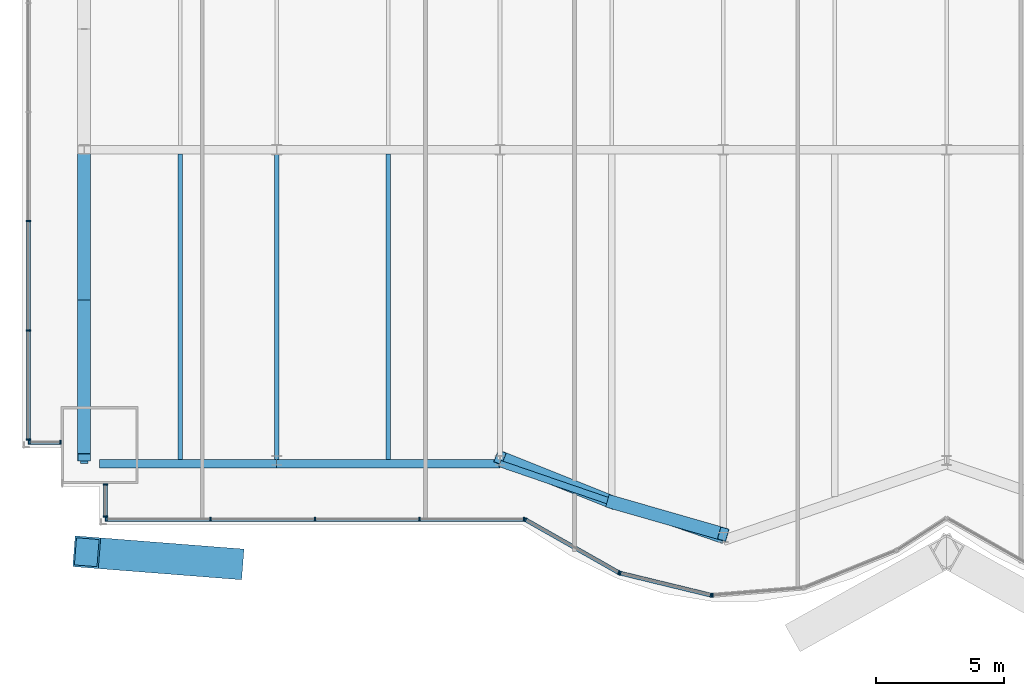
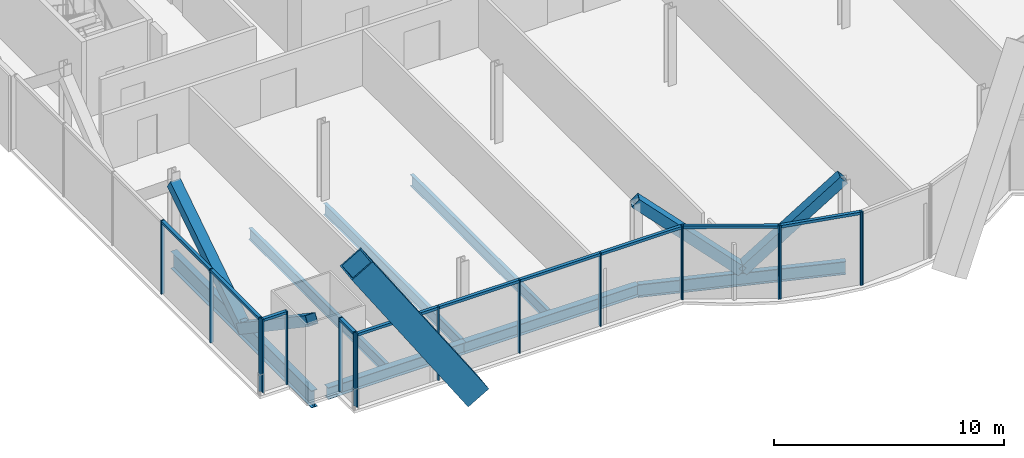
# One storey, part 4 of 21: 32 members, 7 beams, 5 elements without a shape of their own.
"""IFC4 building model written with IfcOpenShell, lengths in metres."""

from ifc_helpers import new_model, si_unit, direction, frame, origin, origin_2d, place, context, subcontext, project, spatial, rectangle, hollow_rectangle, i_section, extrude, material, material_profile, profile_set, type_object, element, aggregate, save


model = new_model("IFC4")

# Units and contexts
model_context = context("Model", 3, precision=1e-05, world=origin(), true_north=direction((0.0, 1.0)))
body_context = subcontext(model_context, "Body", "Model", "MODEL_VIEW")
ifc_project = project(units=[si_unit("LENGTHUNIT", "METRE"), si_unit("AREAUNIT", "SQUARE_METRE"), si_unit("VOLUMEUNIT", "CUBIC_METRE"), si_unit("PLANEANGLEUNIT", "RADIAN"), si_unit("MASSUNIT", "GRAM", prefix="KILO")], contexts=[model_context])

# Site, building, storey
site_placement = place(None, origin())
site = spatial("IfcSite", under=ifc_project, at=site_placement, CompositionType="ELEMENT")
building_placement = place(site_placement, origin())
building = spatial("IfcBuilding", under=site, at=building_placement, Name="Bicima Exchange Tower", CompositionType="ELEMENT")
storey_placement = place(building_placement, frame((0.0, 0.0, 130.89990234375)))
storey = spatial("IfcBuildingStorey", under=building, at=storey_placement, Name="L28", CompositionType="ELEMENT", Elevation=130.89990234375)

# Curtain wall, members
ifc_material_1 = material(Name="Anodised bronze aluminium", Category="aluminium")
curtain_wall_type_1 = type_object("IfcCurtainWallType", Name="End face glass wall", PredefinedType="NOTDEFINED", material=ifc_material_1)
curtain_wall_1_placement = place(storey_placement, origin())
curtain_wall_1 = element("IfcCurtainWall", 1, at=curtain_wall_1_placement, inside=storey, type_object=curtain_wall_type_1, Name="End face glass wall L28 run 2", PredefinedType="NOTDEFINED")
ifc_material_profile_1 = material_profile(ifc_material_1, rectangle(XDim=0.159912109375, YDim=0.06005859375, at=origin_2d()))
ifc_profile_set_1 = profile_set([ifc_material_profile_1], Name="Anodised bronze aluminium")
member_type_1 = type_object("IfcMemberType", Name="End face glass wall mullion 60 x 160", PredefinedType="MULLION", material=ifc_profile_set_1)
member_1_placement = place(storey_placement, frame((-35.77001953125, -24.787109375, 0.0), z_axis=(0.0, 0.0, 1.0), x_axis=(1.0, 0.0, 0.0)))
member_1 = element("IfcMember", 2, at=member_1_placement, type_object=member_type_1, Name="End face glass wall mullion 4", PredefinedType="MULLION", context=body_context, shape_type="SweptSolid", body=[
    extrude(rectangle(XDim=0.159912109375, YDim=0.06005859375, at=origin_2d()), origin(), (0.0, 0.0, 1.0), 3.900146484375),
])
member_2_placement = place(storey_placement, frame((-35.77001953125, -29.03955078125, 0.0), z_axis=(0.0, 0.0, 1.0), x_axis=(1.0, 0.0, 0.0)))
member_2 = element("IfcMember", 3, at=member_2_placement, type_object=member_type_1, Name="End face glass wall mullion 5", PredefinedType="MULLION", context=body_context, shape_type="SweptSolid", body=[
    extrude(rectangle(XDim=0.159912109375, YDim=0.06005859375, at=origin_2d()), origin(), (0.0, 0.0, 1.0), 3.900146484375),
])
member_3_placement = place(storey_placement, frame((-35.77001953125, -33.2919921875, 0.0), z_axis=(0.0, 0.0, 1.0), x_axis=(1.0, 0.0, 0.0)))
member_3 = element("IfcMember", 4, at=member_3_placement, type_object=member_type_1, Name="End face glass wall mullion 6", PredefinedType="MULLION", context=body_context, shape_type="SweptSolid", body=[
    extrude(rectangle(XDim=0.159912109375, YDim=0.06005859375, at=origin_2d()), origin(), (0.0, 0.0, 1.0), 3.900146484375),
])
ifc_material_profile_2 = material_profile(ifc_material_1, rectangle(XDim=0.159912109375, YDim=0.139892578125, at=origin_2d()))
ifc_profile_set_2 = profile_set([ifc_material_profile_2], Name="Anodised bronze aluminium")
member_type_2 = type_object("IfcMemberType", Name="End face glass wall transom 140 x 160", PredefinedType="USERDEFINED", material=ifc_profile_set_2)
member_4_placement = place(storey_placement, frame((-35.77001953125, -24.817138671875, 3.830078125), z_axis=(0.0, -1.0, 0.0), x_axis=(1.0, 0.0, 0.0)))
member_4 = element("IfcMember", 5, at=member_4_placement, type_object=member_type_2, Name="End face glass wall transom 4.1", ObjectType="TRANSOM", PredefinedType="USERDEFINED", context=body_context, shape_type="SweptSolid", body=[
    extrude(rectangle(XDim=0.159912109375, YDim=0.139892578125, at=origin_2d()), origin(), (0.0, 0.0, 1.0), 4.1923828125),
])
member_5_placement = place(storey_placement, frame((-35.77001953125, -29.069580078125, 3.830078125), z_axis=(0.0, -1.0, 0.0), x_axis=(1.0, 0.0, 0.0)))
member_5 = element("IfcMember", 6, at=member_5_placement, type_object=member_type_2, Name="End face glass wall transom 5.1", ObjectType="TRANSOM", PredefinedType="USERDEFINED", context=body_context, shape_type="SweptSolid", body=[
    extrude(rectangle(XDim=0.159912109375, YDim=0.139892578125, at=origin_2d()), origin(), (0.0, 0.0, 1.0), 4.1923828125),
])
aggregate(curtain_wall_1, [member_1, member_2, member_3, member_4, member_5])

# Beam
ifc_material_2 = material(Name="Steel ASTM A992 Gr 50", Category="steel")
ifc_material_profile_3 = material_profile(ifc_material_2, i_section(OverallWidth=0.3046875, OverallDepth=0.911865234375, WebThickness=0.015869140625, FlangeThickness=0.02392578125, at=origin_2d()))
ifc_profile_set_3 = profile_set([ifc_material_profile_3], Name="Steel ASTM A992 Gr 50")
beam_type_1 = type_object("IfcBeamType", Name="End girder W36x150", PredefinedType="BEAM", material=ifc_profile_set_3)
beam_1_placement = place(storey_placement, frame((-33.60009765625, -22.0, -0.605712890625), z_axis=(0.0, -1.0, 0.0), x_axis=(1.0, 0.0, 0.0)))
element("IfcBeam", 7, at=beam_1_placement, inside=storey, type_object=beam_type_1, Name="End girder", PredefinedType="BEAM", context=body_context, shape_type="SweptSolid", body=[
    extrude(i_section(OverallWidth=0.3046875, OverallDepth=0.911865234375, WebThickness=0.015869140625, FlangeThickness=0.02392578125, at=origin_2d()), origin(), (0.0, 0.0, 1.0), 12.23193359375),
])

# Member
ifc_material_3 = material(Name="Steel ASTM A572 Gr 50", Category="steel")
ifc_material_profile_4 = material_profile(ifc_material_3, hollow_rectangle(XDim=1.199951171875, YDim=1.199951171875, WallThickness=0.070068359375, at=origin_2d()))
ifc_profile_set_4 = profile_set([ifc_material_profile_4], Name="Steel ASTM A572 Gr 50")
member_type_3 = type_object("IfcMemberType", Name="Exo mega brace BOX 1200x1200x70", PredefinedType="BRACE", material=ifc_profile_set_4)
member_6_placement = place(storey_placement, frame((-27.916748046875, -38.12109375, 0.183349609375), z_axis=(-0.552270460476, 0.043154808381, 0.832547296554), x_axis=(-0.077903238988, -0.996960924688, 0.0)))
element("IfcMember", 8, at=member_6_placement, inside=storey, type_object=member_type_3, Name="Exo mega brace front", PredefinedType="BRACE", context=body_context, shape_type="SweptSolid", body=[
    extrude(hollow_rectangle(XDim=1.199951171875, YDim=1.199951171875, WallThickness=0.070068359375, at=origin_2d()), origin(), (0.0, 0.0, 1.0), 10.109619140625),
])

# Beams
ifc_material_profile_5 = material_profile(ifc_material_2, i_section(OverallWidth=0.177978515625, OverallDepth=0.599365234375, WebThickness=0.010009765625, FlangeThickness=0.012939453125, at=origin_2d()))
ifc_profile_set_5 = profile_set([ifc_material_profile_5], Name="Steel ASTM A992 Gr 50")
beam_type_2 = type_object("IfcBeamType", Name="Floor beam W24x55", PredefinedType="JOIST", material=ifc_profile_set_5)
for number, where, z_axis, x_axis, name in (
    (9, (-29.85009765625, -22.16259765625, -0.44970703125), (0.0, -1.0, 0.0), (1.0, 0.0, 0.0), "Floor beam"),
    (10, (-26.10009765625, -22.16259765625, -0.44970703125), (0.0, -1.0, 0.0), (1.0, 0.0, 0.0), "Floor beam"),
    (11, (-21.75, -22.16259765625, -0.44970703125), (0.0, -1.0, 0.0), (1.0, 0.0, 0.0), "Floor beam"),
):
    element("IfcBeam", number, at=place(storey_placement, frame(where, z_axis=z_axis, x_axis=x_axis)), inside=storey, type_object=beam_type_2, Name=name, PredefinedType="JOIST", context=body_context, shape_type="SweptSolid", body=[
        extrude(i_section(OverallWidth=0.177978515625, OverallDepth=0.599365234375, WebThickness=0.010009765625, FlangeThickness=0.012939453125, at=origin_2d()), origin(), (0.0, 0.0, 1.0), 11.90673828125),
    ])
ifc_material_profile_6 = material_profile(ifc_material_2, i_section(OverallWidth=0.3251953125, OverallDepth=0.612060546875, WebThickness=0.0126953125, FlangeThickness=0.01904296875, at=origin_2d()))
ifc_profile_set_6 = profile_set([ifc_material_profile_6], Name="Steel ASTM A992 Gr 50")
beam_type_3 = type_object("IfcBeamType", Name="Front girder W24x104", PredefinedType="BEAM", material=ifc_profile_set_6)
beam_2_placement = place(storey_placement, frame((-33.0, -34.23193359375, -0.4560546875), z_axis=(1.0, 0.0, 0.0), x_axis=(0.0, 1.0, 0.0)))
element("IfcBeam", 12, at=beam_2_placement, inside=storey, type_object=beam_type_3, Name="Front girder", PredefinedType="BEAM", context=body_context, shape_type="SweptSolid", body=[
    extrude(i_section(OverallWidth=0.3251953125, OverallDepth=0.612060546875, WebThickness=0.0126953125, FlangeThickness=0.01904296875, at=origin_2d()), origin(), (0.0, 0.0, 1.0), 6.89990234375),
])
beam_3_placement = place(storey_placement, frame((-26.10009765625, -34.23193359375, -0.4560546875), z_axis=(1.0, 0.0, 0.0), x_axis=(0.0, 1.0, 0.0)))
element("IfcBeam", 13, at=beam_3_placement, inside=storey, type_object=beam_type_3, Name="Front girder", PredefinedType="BEAM", context=body_context, shape_type="SweptSolid", body=[
    extrude(i_section(OverallWidth=0.3251953125, OverallDepth=0.612060546875, WebThickness=0.0126953125, FlangeThickness=0.01904296875, at=origin_2d()), origin(), (0.0, 0.0, 1.0), 8.7001953125),
])
ifc_material_profile_7 = material_profile(ifc_material_2, i_section(OverallWidth=0.256591796875, OverallDepth=0.693359375, WebThickness=0.014404296875, FlangeThickness=0.023681640625, at=origin_2d()))
ifc_profile_set_7 = profile_set([ifc_material_profile_7], Name="Steel ASTM A992 Gr 50")
beam_type_4 = type_object("IfcBeamType", Name="Front girder W27x114", PredefinedType="BEAM", material=ifc_profile_set_7)
beam_4_placement = place(storey_placement, frame((-17.39990234375, -34.23193359375, -0.49658203125), z_axis=(0.945666456746, -0.325138359143, 0.0), x_axis=(0.325138359143, 0.945666456746, 0.0)))
element("IfcBeam", 14, at=beam_4_placement, inside=storey, type_object=beam_type_4, Name="Front girder", PredefinedType="BEAM", context=body_context, shape_type="SweptSolid", body=[
    extrude(i_section(OverallWidth=0.256591796875, OverallDepth=0.693359375, WebThickness=0.014404296875, FlangeThickness=0.023681640625, at=origin_2d()), origin(), (0.0, 0.0, 1.0), 9.19970703125),
])

# Curtain wall, members
curtain_wall_type_2 = type_object("IfcCurtainWallType", Name="Front glass wall", PredefinedType="NOTDEFINED", material=ifc_material_1)
curtain_wall_2_placement = place(storey_placement, origin())
curtain_wall_2 = element("IfcCurtainWall", 15, at=curtain_wall_2_placement, inside=storey, type_object=curtain_wall_type_2, Name="Front glass wall L28 run 3", PredefinedType="NOTDEFINED")
member_type_4 = type_object("IfcMemberType", Name="Front glass wall mullion 60 x 160", PredefinedType="MULLION", material=ifc_profile_set_1)
member_7_placement = place(storey_placement, frame((-35.739990234375, -33.402099609375, 0.0), z_axis=(0.0, 0.0, 1.0), x_axis=(0.0, 1.0, 0.0)))
member_7 = element("IfcMember", 16, at=member_7_placement, type_object=member_type_4, Name="Front glass wall mullion 1", PredefinedType="MULLION", context=body_context, shape_type="SweptSolid", body=[
    extrude(rectangle(XDim=0.159912109375, YDim=0.06005859375, at=origin_2d()), origin(), (0.0, 0.0, 1.0), 3.900146484375),
])
member_8_placement = place(storey_placement, frame((-34.530029296875, -33.402099609375, 0.0), z_axis=(0.0, 0.0, 1.0), x_axis=(0.0, 1.0, 0.0)))
member_8 = element("IfcMember", 17, at=member_8_placement, type_object=member_type_4, Name="Front glass wall mullion 2", PredefinedType="MULLION", context=body_context, shape_type="SweptSolid", body=[
    extrude(rectangle(XDim=0.159912109375, YDim=0.06005859375, at=origin_2d()), origin(), (0.0, 0.0, 1.0), 3.900146484375),
])

curtain_wall_3_placement = place(storey_placement, origin())
curtain_wall_3 = element("IfcCurtainWall", 18, at=curtain_wall_3_placement, inside=storey, type_object=curtain_wall_type_2, Name="Front glass wall L28 run 4", PredefinedType="NOTDEFINED")
member_9_placement = place(storey_placement, frame((-32.77001953125, -35.0400390625, 0.0), z_axis=(0.0, 0.0, 1.0), x_axis=(1.0, 0.0, 0.0)))
member_9 = element("IfcMember", 19, at=member_9_placement, type_object=member_type_4, Name="Front glass wall mullion 1", PredefinedType="MULLION", context=body_context, shape_type="SweptSolid", body=[
    extrude(rectangle(XDim=0.159912109375, YDim=0.06005859375, at=origin_2d()), origin(), (0.0, 0.0, 1.0), 3.900146484375),
])
member_10_placement = place(storey_placement, frame((-32.77001953125, -36.2919921875, 0.0), z_axis=(0.0, 0.0, 1.0), x_axis=(1.0, 0.0, 0.0)))
member_10 = element("IfcMember", 20, at=member_10_placement, type_object=member_type_4, Name="Front glass wall mullion 2", PredefinedType="MULLION", context=body_context, shape_type="SweptSolid", body=[
    extrude(rectangle(XDim=0.159912109375, YDim=0.06005859375, at=origin_2d()), origin(), (0.0, 0.0, 1.0), 3.900146484375),
])

curtain_wall_4_placement = place(storey_placement, origin())
curtain_wall_4 = element("IfcCurtainWall", 21, at=curtain_wall_4_placement, inside=storey, type_object=curtain_wall_type_2, Name="Front glass wall L28 run 5", PredefinedType="NOTDEFINED")
member_11_placement = place(storey_placement, frame((-32.739990234375, -36.402099609375, 0.0), z_axis=(0.0, 0.0, 1.0), x_axis=(0.0, 1.0, 0.0)))
member_11 = element("IfcMember", 22, at=member_11_placement, type_object=member_type_4, Name="Front glass wall mullion 1", PredefinedType="MULLION", context=body_context, shape_type="SweptSolid", body=[
    extrude(rectangle(XDim=0.159912109375, YDim=0.06005859375, at=origin_2d()), origin(), (0.0, 0.0, 1.0), 3.900146484375),
])
member_12_placement = place(storey_placement, frame((-28.67041015625, -36.402099609375, 0.0), z_axis=(0.0, 0.0, 1.0), x_axis=(0.0, 1.0, 0.0)))
member_12 = element("IfcMember", 23, at=member_12_placement, type_object=member_type_4, Name="Front glass wall mullion 2", PredefinedType="MULLION", context=body_context, shape_type="SweptSolid", body=[
    extrude(rectangle(XDim=0.159912109375, YDim=0.06005859375, at=origin_2d()), origin(), (0.0, 0.0, 1.0), 3.900146484375),
])
member_13_placement = place(storey_placement, frame((-24.60107421875, -36.402099609375, 0.0), z_axis=(0.0, 0.0, 1.0), x_axis=(0.0, 1.0, 0.0)))
member_13 = element("IfcMember", 24, at=member_13_placement, type_object=member_type_4, Name="Front glass wall mullion 3", PredefinedType="MULLION", context=body_context, shape_type="SweptSolid", body=[
    extrude(rectangle(XDim=0.159912109375, YDim=0.06005859375, at=origin_2d()), origin(), (0.0, 0.0, 1.0), 3.900146484375),
])
member_14_placement = place(storey_placement, frame((-20.531494140625, -36.402099609375, 0.0), z_axis=(0.0, 0.0, 1.0), x_axis=(0.0, 1.0, 0.0)))
member_14 = element("IfcMember", 25, at=member_14_placement, type_object=member_type_4, Name="Front glass wall mullion 4", PredefinedType="MULLION", context=body_context, shape_type="SweptSolid", body=[
    extrude(rectangle(XDim=0.159912109375, YDim=0.06005859375, at=origin_2d()), origin(), (0.0, 0.0, 1.0), 3.900146484375),
])
member_15_placement = place(storey_placement, frame((-16.462158203125, -36.402099609375, 0.0), z_axis=(0.0, 0.0, 1.0), x_axis=(0.0, 1.0, 0.0)))
member_15 = element("IfcMember", 26, at=member_15_placement, type_object=member_type_4, Name="Front glass wall mullion 5", PredefinedType="MULLION", context=body_context, shape_type="SweptSolid", body=[
    extrude(rectangle(XDim=0.159912109375, YDim=0.06005859375, at=origin_2d()), origin(), (0.0, 0.0, 1.0), 3.900146484375),
])

curtain_wall_5_placement = place(storey_placement, origin())
curtain_wall_5 = element("IfcCurtainWall", 27, at=curtain_wall_5_placement, inside=storey, type_object=curtain_wall_type_2, Name="Front glass wall L28 run 6", PredefinedType="NOTDEFINED")
member_16_placement = place(storey_placement, frame((-16.406005859375, -36.416748046875, 0.0), z_axis=(0.0, 0.0, 1.0), x_axis=(0.493395449343, 0.869805110681, 0.0)))
member_16 = element("IfcMember", 28, at=member_16_placement, type_object=member_type_4, Name="Front glass wall mullion 1", PredefinedType="MULLION", context=body_context, shape_type="SweptSolid", body=[
    extrude(rectangle(XDim=0.159912109375, YDim=0.06005859375, at=origin_2d()), origin(), (0.0, 0.0, 1.0), 3.900146484375),
])
member_17_placement = place(storey_placement, frame((-12.7734375, -38.477294921875, 0.0), z_axis=(0.0, 0.0, 1.0), x_axis=(0.493395449343, 0.869805110681, 0.0)))
member_17 = element("IfcMember", 29, at=member_17_placement, type_object=member_type_4, Name="Front glass wall mullion 2", PredefinedType="MULLION", context=body_context, shape_type="SweptSolid", body=[
    extrude(rectangle(XDim=0.159912109375, YDim=0.06005859375, at=origin_2d()), origin(), (0.0, 0.0, 1.0), 3.900146484375),
])
member_18_placement = place(storey_placement, frame((-12.718017578125, -38.499267578125, 0.0), z_axis=(0.0, 0.0, 1.0), x_axis=(0.235681529503, 0.971830343553, 0.0)))
member_18 = element("IfcMember", 30, at=member_18_placement, type_object=member_type_4, Name="Front glass wall mullion 1", PredefinedType="MULLION", context=body_context, shape_type="SweptSolid", body=[
    extrude(rectangle(XDim=0.159912109375, YDim=0.06005859375, at=origin_2d()), origin(), (0.0, 0.0, 1.0), 3.900146484375),
])
member_19_placement = place(storey_placement, frame((-9.177490234375, -39.35791015625, 0.0), z_axis=(0.0, 0.0, 1.0), x_axis=(0.235681529503, 0.971830343553, 0.0)))
member_19 = element("IfcMember", 31, at=member_19_placement, type_object=member_type_4, Name="Front glass wall mullion 2", PredefinedType="MULLION", context=body_context, shape_type="SweptSolid", body=[
    extrude(rectangle(XDim=0.159912109375, YDim=0.06005859375, at=origin_2d()), origin(), (0.0, 0.0, 1.0), 3.900146484375),
])
member_20_placement = place(storey_placement, frame((-9.118408203125, -39.362548828125, 0.0), z_axis=(0.0, 0.0, 1.0), x_axis=(-0.080588612633, 0.99674744821, 0.0)))
member_20 = element("IfcMember", 32, at=member_20_placement, type_object=member_type_4, Name="Front glass wall mullion 1", PredefinedType="MULLION", context=body_context, shape_type="SweptSolid", body=[
    extrude(rectangle(XDim=0.159912109375, YDim=0.06005859375, at=origin_2d()), origin(), (0.0, 0.0, 1.0), 3.900146484375),
])

# Member
member_type_5 = type_object("IfcMemberType", Name="Front glass wall transom 140 x 160", PredefinedType="USERDEFINED", material=ifc_profile_set_2)
member_21_placement = place(storey_placement, frame((-35.7099609375, -33.402099609375, 3.830078125), z_axis=(1.0, 0.0, 0.0), x_axis=(0.0, 1.0, 0.0)))
member_21 = element("IfcMember", 33, at=member_21_placement, type_object=member_type_5, Name="Front glass wall transom 1.1", ObjectType="TRANSOM", PredefinedType="USERDEFINED", context=body_context, shape_type="SweptSolid", body=[
    extrude(rectangle(XDim=0.159912109375, YDim=0.139892578125, at=origin_2d()), origin(), (0.0, 0.0, 1.0), 1.14990234375),
])

aggregate(curtain_wall_2, [member_7, member_8, member_21])

member_22_placement = place(storey_placement, frame((-32.77001953125, -35.070068359375, 3.830078125), z_axis=(0.0, -1.0, 0.0), x_axis=(1.0, 0.0, 0.0)))
member_22 = element("IfcMember", 34, at=member_22_placement, type_object=member_type_5, Name="Front glass wall transom 1.1", ObjectType="TRANSOM", PredefinedType="USERDEFINED", context=body_context, shape_type="SweptSolid", body=[
    extrude(rectangle(XDim=0.159912109375, YDim=0.139892578125, at=origin_2d()), origin(), (0.0, 0.0, 1.0), 1.19189453125),
])

aggregate(curtain_wall_3, [member_9, member_10, member_22])

member_23_placement = place(storey_placement, frame((-32.7099609375, -36.402099609375, 3.830078125), z_axis=(1.0, 0.0, 0.0), x_axis=(0.0, 1.0, 0.0)))
member_23 = element("IfcMember", 35, at=member_23_placement, type_object=member_type_5, Name="Front glass wall transom 1.1", ObjectType="TRANSOM", PredefinedType="USERDEFINED", context=body_context, shape_type="SweptSolid", body=[
    extrude(rectangle(XDim=0.159912109375, YDim=0.139892578125, at=origin_2d()), origin(), (0.0, 0.0, 1.0), 4.009521484375),
])

member_24_placement = place(storey_placement, frame((-28.640380859375, -36.402099609375, 3.830078125), z_axis=(1.0, 0.0, 0.0), x_axis=(0.0, 1.0, 0.0)))
member_24 = element("IfcMember", 36, at=member_24_placement, type_object=member_type_5, Name="Front glass wall transom 2.1", ObjectType="TRANSOM", PredefinedType="USERDEFINED", context=body_context, shape_type="SweptSolid", body=[
    extrude(rectangle(XDim=0.159912109375, YDim=0.139892578125, at=origin_2d()), origin(), (0.0, 0.0, 1.0), 4.00927734375),
])

member_25_placement = place(storey_placement, frame((-24.571044921875, -36.402099609375, 3.830078125), z_axis=(1.0, 0.0, 0.0), x_axis=(0.0, 1.0, 0.0)))
member_25 = element("IfcMember", 37, at=member_25_placement, type_object=member_type_5, Name="Front glass wall transom 3.1", ObjectType="TRANSOM", PredefinedType="USERDEFINED", context=body_context, shape_type="SweptSolid", body=[
    extrude(rectangle(XDim=0.159912109375, YDim=0.139892578125, at=origin_2d()), origin(), (0.0, 0.0, 1.0), 4.009521484375),
])

member_26_placement = place(storey_placement, frame((-20.501708984375, -36.402099609375, 3.830078125), z_axis=(1.0, 0.0, 0.0), x_axis=(0.0, 1.0, 0.0)))
member_26 = element("IfcMember", 38, at=member_26_placement, type_object=member_type_5, Name="Front glass wall transom 4.1", ObjectType="TRANSOM", PredefinedType="USERDEFINED", context=body_context, shape_type="SweptSolid", body=[
    extrude(rectangle(XDim=0.159912109375, YDim=0.139892578125, at=origin_2d()), origin(), (0.0, 0.0, 1.0), 4.009521484375),
])

aggregate(curtain_wall_4, [member_11, member_12, member_13, member_14, member_15, member_23, member_24, member_25, member_26])

member_27_placement = place(storey_placement, frame((-16.3798828125, -36.431640625, 3.830078125), z_axis=(0.869797371721, -0.49340909208, 0.0), x_axis=(0.49340909208, 0.869797371721, 0.0)))
member_27 = element("IfcMember", 39, at=member_27_placement, type_object=member_type_5, Name="Front glass wall transom 1.1", ObjectType="TRANSOM", PredefinedType="USERDEFINED", context=body_context, shape_type="SweptSolid", body=[
    extrude(rectangle(XDim=0.159912109375, YDim=0.139892578125, at=origin_2d()), origin(), (0.0, 0.0, 1.0), 4.1162109375),
])

member_28_placement = place(storey_placement, frame((-12.68896484375, -38.50634765625, 3.830078125), z_axis=(0.971833557815, -0.235668275132, 0.0), x_axis=(0.235668275132, 0.971833557815, 0.0)))
member_28 = element("IfcMember", 40, at=member_28_placement, type_object=member_type_5, Name="Front glass wall transom 1.1", ObjectType="TRANSOM", PredefinedType="USERDEFINED", context=body_context, shape_type="SweptSolid", body=[
    extrude(rectangle(XDim=0.159912109375, YDim=0.139892578125, at=origin_2d()), origin(), (0.0, 0.0, 1.0), 3.583251953125),
])

aggregate(curtain_wall_5, [member_16, member_17, member_27, member_18, member_19, member_28, member_20])

# Members
ifc_material_profile_8 = material_profile(ifc_material_3, hollow_rectangle(XDim=0.508056640625, YDim=0.508056640625, WallThickness=0.0146484375, at=origin_2d()))
ifc_profile_set_8 = profile_set([ifc_material_profile_8], Name="Steel ASTM A572 Gr 50")
member_type_6 = type_object("IfcMemberType", Name="Mega brace HSS20x20x5/8", PredefinedType="BRACE", material=ifc_profile_set_8)
member_29_placement = place(storey_placement, frame((-13.050048828125, -35.7275390625, 0.0), z_axis=(0.712266893938, -0.204909647453, 0.671332933931), x_axis=(0.276473064615, 0.961021667052, 0.0)))
element("IfcMember", 41, at=member_29_placement, inside=storey, type_object=member_type_6, Name="Mega brace front", PredefinedType="BRACE", context=body_context, shape_type="SweptSolid", body=[
    extrude(hollow_rectangle(XDim=0.508056640625, YDim=0.508056640625, WallThickness=0.0146484375, at=origin_2d()), origin(), (0.0, 0.0, 1.0), 6.107421875),
])
member_30_placement = place(storey_placement, frame((-13.050048828125, -35.7275390625, 0.0), z_axis=(-0.69870612412, 0.279411861388, 0.658588463179), x_axis=(-0.371309808925, -0.928509033772, 0.0)))
element("IfcMember", 42, at=member_30_placement, inside=storey, type_object=member_type_6, Name="Mega brace front", PredefinedType="BRACE", context=body_context, shape_type="SweptSolid", body=[
    extrude(hollow_rectangle(XDim=0.508056640625, YDim=0.508056640625, WallThickness=0.0146484375, at=origin_2d()), origin(), (0.0, 0.0, 1.0), 6.2255859375),
])
member_31_placement = place(storey_placement, frame((-33.60009765625, -27.993896484375, -0.605712890625), z_axis=(0.0, -0.828607586085, 0.559829856548), x_axis=(1.0, 0.0, 0.0)))
element("IfcMember", 43, at=member_31_placement, inside=storey, type_object=member_type_6, Name="Mega brace west end", PredefinedType="BRACE", context=body_context, shape_type="SweptSolid", body=[
    extrude(hollow_rectangle(XDim=0.508056640625, YDim=0.508056640625, WallThickness=0.0146484375, at=origin_2d()), origin(), (0.0, 0.0, 1.0), 7.23388671875),
])
member_32_placement = place(storey_placement, frame((-33.60009765625, -28.238037109375, -0.605712890625), z_axis=(0.0, 0.838745731963, 0.544523275089), x_axis=(-1.0, 0.0, 0.0)))
element("IfcMember", 44, at=member_32_placement, inside=storey, type_object=member_type_6, Name="Mega brace west end", PredefinedType="BRACE", context=body_context, shape_type="SweptSolid", body=[
    extrude(hollow_rectangle(XDim=0.508056640625, YDim=0.508056640625, WallThickness=0.0146484375, at=origin_2d()), origin(), (0.0, 0.0, 1.0), 7.437255859375),
])

save(model, "model.ifc")
